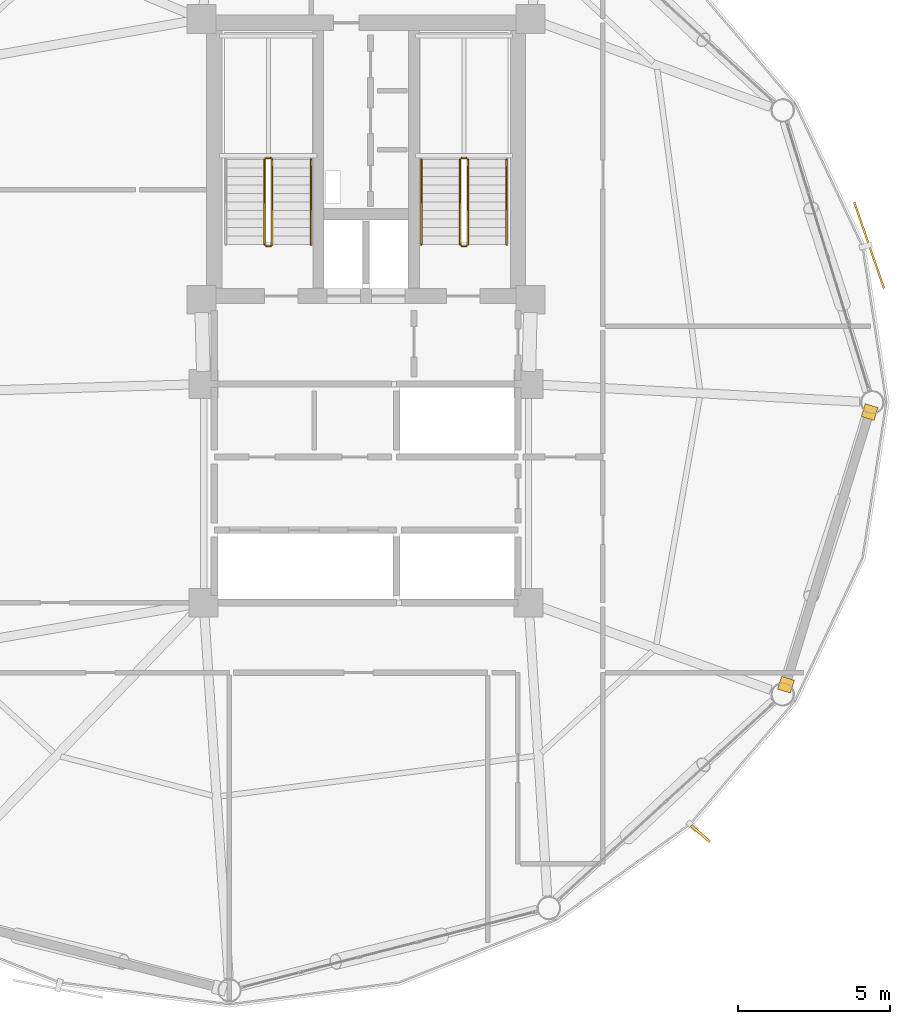
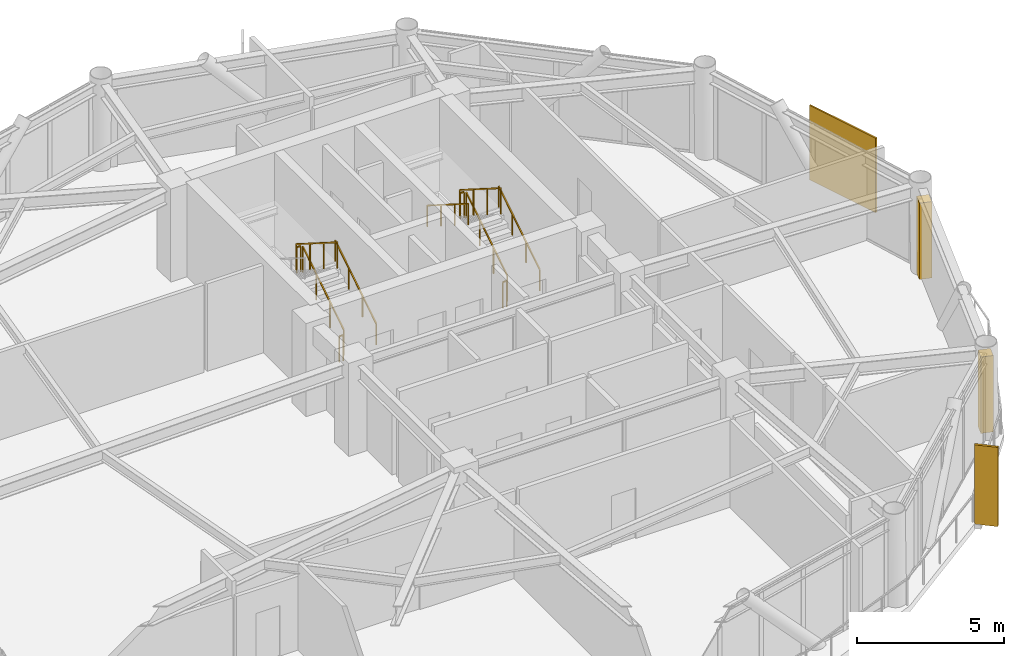
# One storey, part 24 of 25: 11 railings, 2 coverings, 2 shading devices.
"""IFC4 building model written with IfcOpenShell, lengths in metres."""

from ifc_helpers import new_model, si_unit, direction, frame, origin, origin_2d, place, context, subcontext, project, spatial, rectangle, extrude, source, transform, mapped, material, layer, layer_set, type_object, type_shapes, element, save


model = new_model("IFC4")

# Units and contexts
model_context = context("Model", 3, precision=1e-05, world=origin(), true_north=direction((0.0, 1.0)))
body_context = subcontext(model_context, "Body", "Model", "MODEL_VIEW")
ifc_project = project(units=[si_unit("LENGTHUNIT", "METRE"), si_unit("AREAUNIT", "SQUARE_METRE"), si_unit("VOLUMEUNIT", "CUBIC_METRE"), si_unit("PLANEANGLEUNIT", "RADIAN"), si_unit("MASSUNIT", "GRAM", prefix="KILO")], contexts=[model_context])

# Site, building, storey
site_placement = place(None, origin())
site = spatial("IfcSite", under=ifc_project, at=site_placement, CompositionType="ELEMENT")
building_placement = place(site_placement, origin())
building = spatial("IfcBuilding", under=site, at=building_placement, Name="Varnakorn Sky Granary", CompositionType="ELEMENT")
storey_placement = place(building_placement, frame((0.0, 0.0, 126.60009765625)))
storey = spatial("IfcBuildingStorey", under=building, at=storey_placement, Name="L31", CompositionType="ELEMENT", Elevation=126.60009765625)

# Railings
ifc_material_1 = material(Name="Brushed Stainless Steel 316", Category="steel")
railing_type_1 = type_object("IfcRailingType", Name="RL-STAIR-1100", PredefinedType="GUARDRAIL", material=ifc_material_1)
railing_1_placement = place(storey_placement, frame((-0.090087890625, 5.199951171875, 0.17724609375)))
element("IfcRailing", 1, at=railing_1_placement, inside=storey, type_object=railing_type_1, Name="L31 ST-1 stair guard 1", PredefinedType="GUARDRAIL", context=body_context, shape_type="SweptSolid", body=[
    extrude(rectangle(XDim=0.048095703125, YDim=0.048095703125, at=origin_2d()), frame((0.0, 0.0, 1.076171875), z_axis=(0.0, 0.844908973607, 0.534910110503), x_axis=(-1.0, 0.0, 0.0)), (0.0, 0.0, 1.0), 3.31396484375),
    extrude(rectangle(XDim=0.0419921875, YDim=0.0419921875, at=origin_2d()), origin(), (0.0, 0.0, 1.0), 1.048095703125),
    extrude(rectangle(XDim=0.0419921875, YDim=0.0419921875, at=origin_2d()), frame((0.0, 0.933349609375, 0.5908203125)), (0.0, 0.0, 1.0), 1.048095703125),
    extrude(rectangle(XDim=0.0419921875, YDim=0.0419921875, at=origin_2d()), frame((0.0, 1.86669921875, 1.181884765625)), (0.0, 0.0, 1.0), 1.048095703125),
    extrude(rectangle(XDim=0.0419921875, YDim=0.0419921875, at=origin_2d()), frame((0.0, 2.800048828125, 1.772705078125)), (0.0, 0.0, 1.0), 1.048095703125),
])
railing_2_placement = place(storey_placement, frame((-0.139892578125, 8.050048828125, 1.949951171875)))
element("IfcRailing", 2, at=railing_2_placement, inside=storey, type_object=railing_type_1, Name="L31 ST-1 stair guard 2", PredefinedType="GUARDRAIL", context=body_context, shape_type="SweptSolid", body=[
    extrude(rectangle(XDim=0.048095703125, YDim=0.048095703125, at=origin_2d()), frame((0.0, 0.0, 1.076171875), z_axis=(-1.0, 0.0, 0.0), x_axis=(0.0, -1.0, 0.0)), (0.0, 0.0, 1.0), 0.150146484375),
    extrude(rectangle(XDim=0.0419921875, YDim=0.0419921875, at=origin_2d()), origin(), (0.0, 0.0, 1.0), 1.048095703125),
    extrude(rectangle(XDim=0.0419921875, YDim=0.0419921875, at=origin_2d()), frame((-0.150146484375, 0.0, 0.0)), (0.0, 0.0, 1.0), 1.048095703125),
])
railing_3_placement = place(storey_placement, frame((-0.340087890625, 8.0, 2.127197265625)))
element("IfcRailing", 3, at=railing_3_placement, inside=storey, type_object=railing_type_1, Name="L31 ST-1 stair guard 3", PredefinedType="GUARDRAIL", context=body_context, shape_type="SweptSolid", body=[
    extrude(rectangle(XDim=0.048095703125, YDim=0.048095703125, at=origin_2d()), frame((0.0, 0.0, 1.076171875), z_axis=(0.0, -0.844908973607, 0.534910110503), x_axis=(1.0, 0.0, 0.0)), (0.0, 0.0, 1.0), 3.31396484375),
    extrude(rectangle(XDim=0.0419921875, YDim=0.0419921875, at=origin_2d()), origin(), (0.0, 0.0, 1.0), 1.048095703125),
    extrude(rectangle(XDim=0.0419921875, YDim=0.0419921875, at=origin_2d()), frame((0.0, -0.933349609375, 0.5908203125)), (0.0, 0.0, 1.0), 1.048095703125),
    extrude(rectangle(XDim=0.0419921875, YDim=0.0419921875, at=origin_2d()), frame((0.0, -1.86669921875, 1.181884765625)), (0.0, 0.0, 1.0), 1.048095703125),
    extrude(rectangle(XDim=0.0419921875, YDim=0.0419921875, at=origin_2d()), frame((0.0, -2.800048828125, 1.772705078125)), (0.0, 0.0, 1.0), 1.048095703125),
])
railing_4_placement = place(storey_placement, frame((-0.139892578125, 5.14990234375, 0.0)))
element("IfcRailing", 4, at=railing_4_placement, inside=storey, type_object=railing_type_1, Name="L31 ST-1 stair guard 4", PredefinedType="GUARDRAIL", context=body_context, shape_type="SweptSolid", body=[
    extrude(rectangle(XDim=0.048095703125, YDim=0.048095703125, at=origin_2d()), frame((0.0, 0.0, 1.076171875), z_axis=(-1.0, 0.0, 0.0), x_axis=(0.0, -1.0, 0.0)), (0.0, 0.0, 1.0), 0.150146484375),
    extrude(rectangle(XDim=0.0419921875, YDim=0.0419921875, at=origin_2d()), origin(), (0.0, 0.0, 1.0), 1.048095703125),
    extrude(rectangle(XDim=0.0419921875, YDim=0.0419921875, at=origin_2d()), frame((-0.150146484375, 0.0, 0.0)), (0.0, 0.0, 1.0), 1.048095703125),
])
railing_5_placement = place(storey_placement, frame((6.35009765625, 5.199951171875, 0.17724609375)))
element("IfcRailing", 5, at=railing_5_placement, inside=storey, type_object=railing_type_1, Name="L31 ST-2 stair guard 1", PredefinedType="GUARDRAIL", context=body_context, shape_type="SweptSolid", body=[
    extrude(rectangle(XDim=0.048095703125, YDim=0.048095703125, at=origin_2d()), frame((0.0, 0.0, 1.076171875), z_axis=(0.0, 0.844908973607, 0.534910110503), x_axis=(-1.0, 0.0, 0.0)), (0.0, 0.0, 1.0), 3.31396484375),
    extrude(rectangle(XDim=0.0419921875, YDim=0.0419921875, at=origin_2d()), origin(), (0.0, 0.0, 1.0), 1.048095703125),
    extrude(rectangle(XDim=0.0419921875, YDim=0.0419921875, at=origin_2d()), frame((0.0, 0.933349609375, 0.5908203125)), (0.0, 0.0, 1.0), 1.048095703125),
    extrude(rectangle(XDim=0.0419921875, YDim=0.0419921875, at=origin_2d()), frame((0.0, 1.86669921875, 1.181884765625)), (0.0, 0.0, 1.0), 1.048095703125),
    extrude(rectangle(XDim=0.0419921875, YDim=0.0419921875, at=origin_2d()), frame((0.0, 2.800048828125, 1.772705078125)), (0.0, 0.0, 1.0), 1.048095703125),
])
railing_6_placement = place(storey_placement, frame((6.300048828125, 8.050048828125, 1.949951171875)))
element("IfcRailing", 6, at=railing_6_placement, inside=storey, type_object=railing_type_1, Name="L31 ST-2 stair guard 2", PredefinedType="GUARDRAIL", context=body_context, shape_type="SweptSolid", body=[
    extrude(rectangle(XDim=0.048095703125, YDim=0.048095703125, at=origin_2d()), frame((0.0, 0.0, 1.076171875), z_axis=(-1.0, 0.0, 0.0), x_axis=(0.0, -1.0, 0.0)), (0.0, 0.0, 1.0), 0.150146484375),
    extrude(rectangle(XDim=0.0419921875, YDim=0.0419921875, at=origin_2d()), origin(), (0.0, 0.0, 1.0), 1.048095703125),
    extrude(rectangle(XDim=0.0419921875, YDim=0.0419921875, at=origin_2d()), frame((-0.150146484375, 0.0, 0.0)), (0.0, 0.0, 1.0), 1.048095703125),
])
railing_7_placement = place(storey_placement, frame((6.10009765625, 8.0, 2.127197265625)))
element("IfcRailing", 7, at=railing_7_placement, inside=storey, type_object=railing_type_1, Name="L31 ST-2 stair guard 3", PredefinedType="GUARDRAIL", context=body_context, shape_type="SweptSolid", body=[
    extrude(rectangle(XDim=0.048095703125, YDim=0.048095703125, at=origin_2d()), frame((0.0, 0.0, 1.076171875), z_axis=(0.0, -0.844908973607, 0.534910110503), x_axis=(1.0, 0.0, 0.0)), (0.0, 0.0, 1.0), 3.31396484375),
    extrude(rectangle(XDim=0.0419921875, YDim=0.0419921875, at=origin_2d()), origin(), (0.0, 0.0, 1.0), 1.048095703125),
    extrude(rectangle(XDim=0.0419921875, YDim=0.0419921875, at=origin_2d()), frame((0.0, -0.933349609375, 0.5908203125)), (0.0, 0.0, 1.0), 1.048095703125),
    extrude(rectangle(XDim=0.0419921875, YDim=0.0419921875, at=origin_2d()), frame((0.0, -1.86669921875, 1.181884765625)), (0.0, 0.0, 1.0), 1.048095703125),
    extrude(rectangle(XDim=0.0419921875, YDim=0.0419921875, at=origin_2d()), frame((0.0, -2.800048828125, 1.772705078125)), (0.0, 0.0, 1.0), 1.048095703125),
])
railing_8_placement = place(storey_placement, frame((6.300048828125, 5.14990234375, 0.0)))
element("IfcRailing", 8, at=railing_8_placement, inside=storey, type_object=railing_type_1, Name="L31 ST-2 stair guard 4", PredefinedType="GUARDRAIL", context=body_context, shape_type="SweptSolid", body=[
    extrude(rectangle(XDim=0.048095703125, YDim=0.048095703125, at=origin_2d()), frame((0.0, 0.0, 1.076171875), z_axis=(-1.0, 0.0, 0.0), x_axis=(0.0, -1.0, 0.0)), (0.0, 0.0, 1.0), 0.150146484375),
    extrude(rectangle(XDim=0.0419921875, YDim=0.0419921875, at=origin_2d()), origin(), (0.0, 0.0, 1.0), 1.048095703125),
    extrude(rectangle(XDim=0.0419921875, YDim=0.0419921875, at=origin_2d()), frame((-0.150146484375, 0.0, 0.0)), (0.0, 0.0, 1.0), 1.048095703125),
])
railing_type_2 = type_object("IfcRailingType", Name="RL-STAIR-920", PredefinedType="HANDRAIL", material=ifc_material_1)
for number, where, name in (
    (9, (1.18994140625, 5.199951171875, 0.17724609375), "L31 ST-1 stair handrail 1"),
    (10, (7.6298828125, 5.199951171875, 0.17724609375), "L31 ST-2 stair handrail 1"),
):
    element("IfcRailing", number, at=place(storey_placement, frame(where)), inside=storey, type_object=railing_type_2, Name=name, PredefinedType="HANDRAIL", context=body_context, shape_type="SweptSolid", body=[
        extrude(rectangle(XDim=0.048095703125, YDim=0.048095703125, at=origin_2d()), frame((0.0, 0.0, 0.8759765625), z_axis=(0.0, 0.844908973607, 0.534910110503), x_axis=(-1.0, 0.0, 0.0)), (0.0, 0.0, 1.0), 3.31396484375),
        extrude(rectangle(XDim=0.0419921875, YDim=0.0419921875, at=origin_2d()), origin(), (0.0, 0.0, 1.0), 0.847900390625),
        extrude(rectangle(XDim=0.0419921875, YDim=0.0419921875, at=origin_2d()), frame((0.0, 0.933349609375, 0.5908203125)), (0.0, 0.0, 1.0), 0.847900390625),
        extrude(rectangle(XDim=0.0419921875, YDim=0.0419921875, at=origin_2d()), frame((0.0, 1.86669921875, 1.181884765625)), (0.0, 0.0, 1.0), 0.847900390625),
        extrude(rectangle(XDim=0.0419921875, YDim=0.0419921875, at=origin_2d()), frame((0.0, 2.800048828125, 1.772705078125)), (0.0, 0.0, 1.0), 0.847900390625),
    ])
railing_9_placement = place(storey_placement, frame((4.820068359375, 8.0, 2.127197265625)))
element("IfcRailing", 11, at=railing_9_placement, inside=storey, type_object=railing_type_2, Name="L31 ST-2 stair handrail 2", PredefinedType="HANDRAIL", context=body_context, shape_type="SweptSolid", body=[
    extrude(rectangle(XDim=0.048095703125, YDim=0.048095703125, at=origin_2d()), frame((0.0, 0.0, 0.8759765625), z_axis=(0.0, -0.844908973607, 0.534910110503), x_axis=(1.0, 0.0, 0.0)), (0.0, 0.0, 1.0), 3.31396484375),
    extrude(rectangle(XDim=0.0419921875, YDim=0.0419921875, at=origin_2d()), origin(), (0.0, 0.0, 1.0), 0.847900390625),
    extrude(rectangle(XDim=0.0419921875, YDim=0.0419921875, at=origin_2d()), frame((0.0, -0.933349609375, 0.5908203125)), (0.0, 0.0, 1.0), 0.847900390625),
    extrude(rectangle(XDim=0.0419921875, YDim=0.0419921875, at=origin_2d()), frame((0.0, -1.86669921875, 1.181884765625)), (0.0, 0.0, 1.0), 0.847900390625),
    extrude(rectangle(XDim=0.0419921875, YDim=0.0419921875, at=origin_2d()), frame((0.0, -2.800048828125, 1.772705078125)), (0.0, 0.0, 1.0), 0.847900390625),
])

# Shading devices
ifc_material_2 = material(Name="Anodised Bronze Aluminium Alloy 6063-T6", Category="aluminium")
shading_device_type_1 = type_object("IfcShadingDeviceType", Name="SH-SCR-02", PredefinedType="USERDEFINED", material=ifc_material_2)
shared_shape_1 = source(origin(), body_context, "Body", "SweptSolid", [
    extrude(rectangle(XDim=3.0, YDim=0.06494140625, at=origin_2d()), origin(), (0.0, 0.0, 1.0), 3.10009765625),
])
type_shapes(shading_device_type_1, [shared_shape_1])
shading_device_1_placement = place(storey_placement, frame((19.566162109375, 5.171142578125, -0.0400390625), z_axis=(0.0, 0.0, 1.0), x_axis=(-0.326260487011, 0.945279902788, 0.0)))
element("IfcShadingDevice", 12, at=shading_device_1_placement, inside=storey, type_object=shading_device_type_1, Name="Perforated Bronze Solar Screen Panel SCREEN L31-01", ObjectType="SCREEN", PredefinedType="USERDEFINED", context=body_context, shape_type="MappedRepresentation", body=[
    mapped(shared_shape_1, transform((0.0, 0.0, 0.0), x_axis=(1.0, 0.0, 0.0), y_axis=(0.0, 1.0, 0.0), z_axis=(0.0, 0.0, 1.0), scale=1.0)),
])
shading_device_type_2 = type_object("IfcShadingDeviceType", Name="SH-FIN-02", PredefinedType="USERDEFINED", material=ifc_material_2)
shared_shape_2 = source(origin(), body_context, "Body", "SweptSolid", [
    extrude(rectangle(XDim=0.0849609375, YDim=0.820068359375, at=origin_2d()), origin(), (0.0, 0.0, 1.0), 3.300048828125),
])
type_shapes(shading_device_type_2, [shared_shape_2])
shading_device_2_placement = place(storey_placement, frame((14.016845703125, -14.207275390625, -0.0400390625), z_axis=(0.0, 0.0, 1.0), x_axis=(0.656981957674, 0.753906298747, 0.0)))
element("IfcShadingDevice", 13, at=shading_device_2_placement, inside=storey, type_object=shading_device_type_2, Name="Bronze Solar-Tracking Vertical Blade FIN L31-11", ObjectType="FIN", PredefinedType="USERDEFINED", context=body_context, shape_type="MappedRepresentation", body=[
    mapped(shared_shape_2, transform((0.0, 0.0, 0.0), x_axis=(1.0, 0.0, 0.0), y_axis=(0.0, 1.0, 0.0), z_axis=(0.0, 0.0, 1.0), scale=1.0)),
])

# Coverings
ifc_layer = layer(ifc_material_2, 0.050048828125, Name="Anodised Bronze Aluminium Alloy 6063-T6")
ifc_layer_set = layer_set([ifc_layer], Name="Anodised Bronze Aluminium Alloy 6063-T6")
covering_type = type_object("IfcCoveringType", Name="CV-CLAD-50", PredefinedType="CLADDING", material=ifc_layer_set)
shared_shape_3 = source(origin(), body_context, "Body", "SweptSolid", [
    extrude(rectangle(XDim=0.43994140625, YDim=0.43994140625, at=origin_2d()), origin(), (0.0, 0.0, 1.0), 3.179931640625),
])
type_shapes(covering_type, [shared_shape_3])
for number, where, z_axis, x_axis, name in (
    (14, (19.584228515625, -0.3212890625, -0.02001953125), (0.0, 0.0, 1.0), (-0.293706672624, -0.955895596002, 0.0), "Bronze Corner Pilaster Closure L31-P12-A"),
    (15, (16.826904296875, -9.29833984375, -0.02001953125), (0.0, 0.0, 1.0), (-0.293706672624, -0.955895596002, 0.0), "Bronze Corner Pilaster Closure L31-P12-B"),
):
    element("IfcCovering", number, at=place(storey_placement, frame(where, z_axis=z_axis, x_axis=x_axis)), inside=storey, type_object=covering_type, Name=name, PredefinedType="CLADDING", context=body_context, shape_type="MappedRepresentation", body=[
        mapped(shared_shape_3, transform((0.0, 0.0, 0.0), x_axis=(1.0, 0.0, 0.0), y_axis=(0.0, 1.0, 0.0), z_axis=(0.0, 0.0, 1.0), scale=1.0)),
    ])

save(model, "model.ifc")
